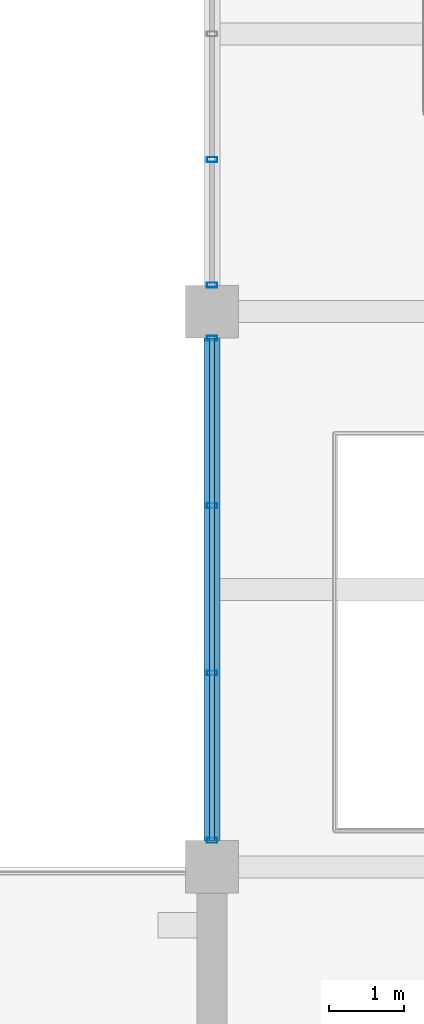
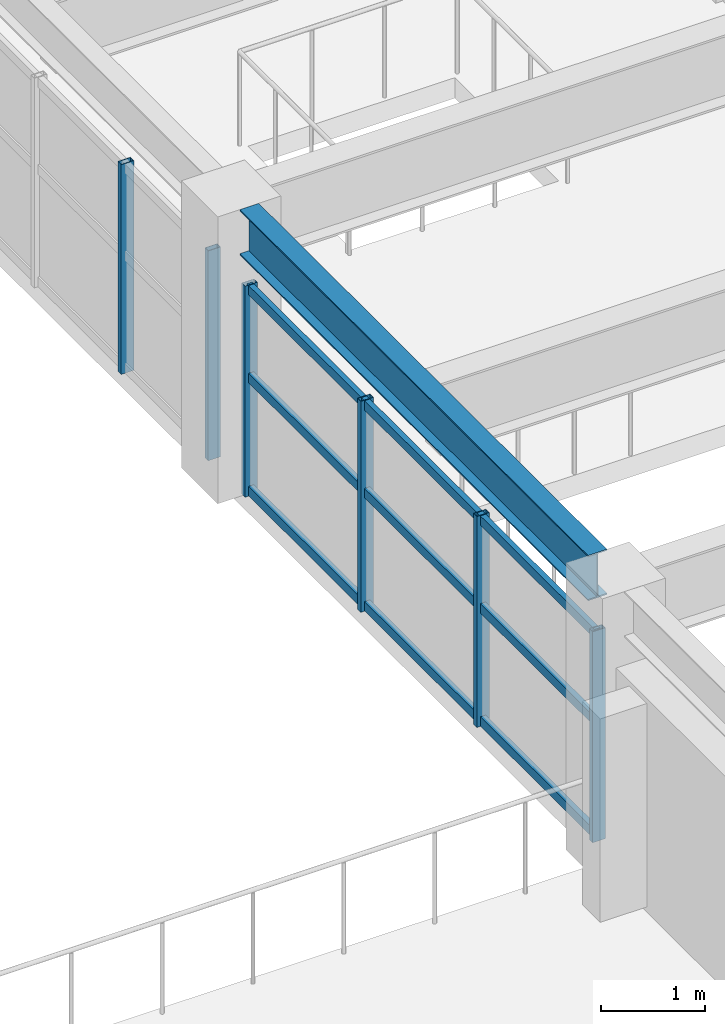
# One storey, part 25 of 121: 9 members, 1 beam, 2 elements without a shape of their own.
"""IFC4 building model written with IfcOpenShell, lengths in metres."""

from ifc_helpers import new_model, si_unit, direction, frame, origin, origin_2d, place, context, subcontext, project, spatial, hollow_rectangle, i_section, extrude, material, material_profile, profile_set, type_object, element, aggregate, save


model = new_model("IFC4")

# Units and contexts
model_context = context("Model", 3, precision=1e-05, world=origin(), true_north=direction((0.0, 1.0)))
body_context = subcontext(model_context, "Body", "Model", "MODEL_VIEW")
ifc_project = project(units=[si_unit("LENGTHUNIT", "METRE"), si_unit("AREAUNIT", "SQUARE_METRE"), si_unit("VOLUMEUNIT", "CUBIC_METRE"), si_unit("PLANEANGLEUNIT", "RADIAN"), si_unit("MASSUNIT", "GRAM", prefix="KILO")], contexts=[model_context])

# Site, building, storey
site_placement = place(None, origin())
site = spatial("IfcSite", under=ifc_project, at=site_placement, CompositionType="ELEMENT")
building_placement = place(site_placement, origin())
building = spatial("IfcBuilding", under=site, at=building_placement, Name="Cimatlan Art Gallery", CompositionType="ELEMENT")
storey_placement = place(building_placement, frame((0.0, 0.0, 10.199951171875)))
storey = spatial("IfcBuildingStorey", under=building, at=storey_placement, Name="L02", CompositionType="ELEMENT", Elevation=10.199951171875)

# Beam
ifc_material_1 = material(Name="Steel ASTM A992 Grade 50", Category="steel")
ifc_material_profile_1 = material_profile(ifc_material_1, i_section(OverallWidth=0.2099609375, OverallDepth=0.532958984375, WebThickness=0.01025390625, FlangeThickness=0.015625, at=origin_2d()), Name="W21X62")
ifc_profile_set_1 = profile_set([ifc_material_profile_1], Name="Steel ASTM A992 Grade 50")
beam_type = type_object("IfcBeamType", Name="BM-STL-W21X62", PredefinedType="BEAM", material=ifc_profile_set_1)
beam_placement = place(storey_placement, frame((74.89990234375, 39.050048828125, 3.103515625), z_axis=(0.0, 1.0, 0.0), x_axis=(-1.0, 0.0, 0.0)))
element("IfcBeam", 1, at=beam_placement, inside=storey, type_object=beam_type, Name="BM-Y-L02-09-05", PredefinedType="BEAM", context=body_context, shape_type="SweptSolid", body=[
    extrude(i_section(OverallWidth=0.2099609375, OverallDepth=0.532958984375, WebThickness=0.01025390625, FlangeThickness=0.015625, at=origin_2d()), origin(), (0.0, 0.0, 1.0), 6.699951171875),
])

# Curtain wall, members
ifc_material_2 = material(Name="Anodised bronze unitised curtain wall")
curtain_wall_type_1 = type_object("IfcCurtainWallType", Name="CW-V-06692X02479-B3", PredefinedType="NOTDEFINED", material=ifc_material_2)
curtain_wall_1_placement = place(storey_placement, origin())
curtain_wall_1 = element("IfcCurtainWall", 2, at=curtain_wall_1_placement, inside=storey, type_object=curtain_wall_type_1, Name="CW-L02-09-05-W", PredefinedType="NOTDEFINED")
ifc_material_3 = material(Name="Anodised bronze aluminium 6063-T6", Category="aluminium")
ifc_material_profile_2 = material_profile(ifc_material_3, hollow_rectangle(XDim=0.06494140625, YDim=0.139892578125, WallThickness=0.00390625, at=origin_2d()), Name="ALU65X140X4")
ifc_profile_set_2 = profile_set([ifc_material_profile_2], Name="Anodised bronze aluminium 6063-T6")
member_type_1 = type_object("IfcMemberType", Name="CW-MUL-140", PredefinedType="MULLION", material=ifc_profile_set_2)
member_1_placement = place(storey_placement, frame((74.89990234375, 39.053955078125, 0.0), z_axis=(0.0, 0.0, 1.0), x_axis=(0.0, 1.0, 0.0)))
member_1 = element("IfcMember", 3, at=member_1_placement, type_object=member_type_1, Name="CW-L02-09-05-W-M1", PredefinedType="MULLION", context=body_context, shape_type="SweptSolid", body=[
    extrude(hollow_rectangle(XDim=0.06494140625, YDim=0.139892578125, WallThickness=0.00390625, at=origin_2d()), origin(), (0.0, 0.0, 1.0), 2.47900390625),
])
member_2_placement = place(storey_placement, frame((74.89990234375, 41.28466796875, 0.0), z_axis=(0.0, 0.0, 1.0), x_axis=(0.0, 1.0, 0.0)))
member_2 = element("IfcMember", 4, at=member_2_placement, type_object=member_type_1, Name="CW-L02-09-05-W-M2", PredefinedType="MULLION", context=body_context, shape_type="SweptSolid", body=[
    extrude(hollow_rectangle(XDim=0.06494140625, YDim=0.139892578125, WallThickness=0.00390625, at=origin_2d()), origin(), (0.0, 0.0, 1.0), 2.47900390625),
])
member_3_placement = place(storey_placement, frame((74.89990234375, 43.515380859375, 0.0), z_axis=(0.0, 0.0, 1.0), x_axis=(0.0, 1.0, 0.0)))
member_3 = element("IfcMember", 5, at=member_3_placement, type_object=member_type_1, Name="CW-L02-09-05-W-M3", PredefinedType="MULLION", context=body_context, shape_type="SweptSolid", body=[
    extrude(hollow_rectangle(XDim=0.06494140625, YDim=0.139892578125, WallThickness=0.00390625, at=origin_2d()), origin(), (0.0, 0.0, 1.0), 2.47900390625),
])
member_4_placement = place(storey_placement, frame((74.89990234375, 45.74609375, 0.0), z_axis=(0.0, 0.0, 1.0), x_axis=(0.0, 1.0, 0.0)))
member_4 = element("IfcMember", 6, at=member_4_placement, type_object=member_type_1, Name="CW-L02-09-05-W-M4", PredefinedType="MULLION", context=body_context, shape_type="SweptSolid", body=[
    extrude(hollow_rectangle(XDim=0.06494140625, YDim=0.139892578125, WallThickness=0.00390625, at=origin_2d()), origin(), (0.0, 0.0, 1.0), 2.47900390625),
])

curtain_wall_type_2 = type_object("IfcCurtainWallType", Name="CW-V-06692X02464-B4", PredefinedType="NOTDEFINED", material=ifc_material_2)
curtain_wall_2_placement = place(storey_placement, origin())
curtain_wall_2 = element("IfcCurtainWall", 7, at=curtain_wall_2_placement, inside=storey, type_object=curtain_wall_type_2, Name="CW-L02-09-06-W", PredefinedType="NOTDEFINED")
member_5_placement = place(storey_placement, frame((74.89990234375, 46.4541015625, 0.0), z_axis=(0.0, 0.0, 1.0), x_axis=(0.0, 1.0, 0.0)))
member_5 = element("IfcMember", 8, at=member_5_placement, type_object=member_type_1, Name="CW-L02-09-06-W-M1", PredefinedType="MULLION", context=body_context, shape_type="SweptSolid", body=[
    extrude(hollow_rectangle(XDim=0.06494140625, YDim=0.139892578125, WallThickness=0.00390625, at=origin_2d()), origin(), (0.0, 0.0, 1.0), 2.464111328125),
])
member_6_placement = place(storey_placement, frame((74.89990234375, 48.126953125, 0.0), z_axis=(0.0, 0.0, 1.0), x_axis=(0.0, 1.0, 0.0)))
member_6 = element("IfcMember", 9, at=member_6_placement, type_object=member_type_1, Name="CW-L02-09-06-W-M2", PredefinedType="MULLION", context=body_context, shape_type="SweptSolid", body=[
    extrude(hollow_rectangle(XDim=0.06494140625, YDim=0.139892578125, WallThickness=0.00390625, at=origin_2d()), origin(), (0.0, 0.0, 1.0), 2.464111328125),
])
aggregate(curtain_wall_2, [member_5, member_6])

# Member
ifc_material_profile_3 = material_profile(ifc_material_3, hollow_rectangle(XDim=0.06005859375, YDim=0.110107421875, WallThickness=0.00341796875, at=origin_2d()), Name="ALU60X110X3")
ifc_profile_set_3 = profile_set([ifc_material_profile_3], Name="Anodised bronze aluminium 6063-T6")
member_type_2 = type_object("IfcMemberType", Name="CW-TRN-110", PredefinedType="USERDEFINED", material=ifc_profile_set_3)
member_7_placement = place(storey_placement, frame((74.89990234375, 39.053955078125, 0.06005859375), z_axis=(0.0, 1.0, 0.0), x_axis=(-1.0, 0.0, 0.0)))
member_7 = element("IfcMember", 10, at=member_7_placement, type_object=member_type_2, Name="CW-L02-09-05-W-T1", ObjectType="TRANSOM", PredefinedType="USERDEFINED", context=body_context, shape_type="SweptSolid", body=[
    extrude(hollow_rectangle(XDim=0.06005859375, YDim=0.110107421875, WallThickness=0.00341796875, at=origin_2d()), origin(), (0.0, 0.0, 1.0), 6.692138671875),
])

member_8_placement = place(storey_placement, frame((74.89990234375, 39.053955078125, 1.38818359375), z_axis=(0.0, 1.0, 0.0), x_axis=(-1.0, 0.0, 0.0)))
member_8 = element("IfcMember", 11, at=member_8_placement, type_object=member_type_2, Name="CW-L02-09-05-W-T2", ObjectType="TRANSOM", PredefinedType="USERDEFINED", context=body_context, shape_type="SweptSolid", body=[
    extrude(hollow_rectangle(XDim=0.06005859375, YDim=0.110107421875, WallThickness=0.00341796875, at=origin_2d()), origin(), (0.0, 0.0, 1.0), 6.692138671875),
])

member_9_placement = place(storey_placement, frame((74.89990234375, 39.053955078125, 2.4189453125), z_axis=(0.0, 1.0, 0.0), x_axis=(-1.0, 0.0, 0.0)))
member_9 = element("IfcMember", 12, at=member_9_placement, type_object=member_type_2, Name="CW-L02-09-05-W-T3", ObjectType="TRANSOM", PredefinedType="USERDEFINED", context=body_context, shape_type="SweptSolid", body=[
    extrude(hollow_rectangle(XDim=0.06005859375, YDim=0.110107421875, WallThickness=0.00341796875, at=origin_2d()), origin(), (0.0, 0.0, 1.0), 6.692138671875),
])

aggregate(curtain_wall_1, [member_1, member_2, member_3, member_4, member_7, member_8, member_9])

save(model, "model.ifc")
